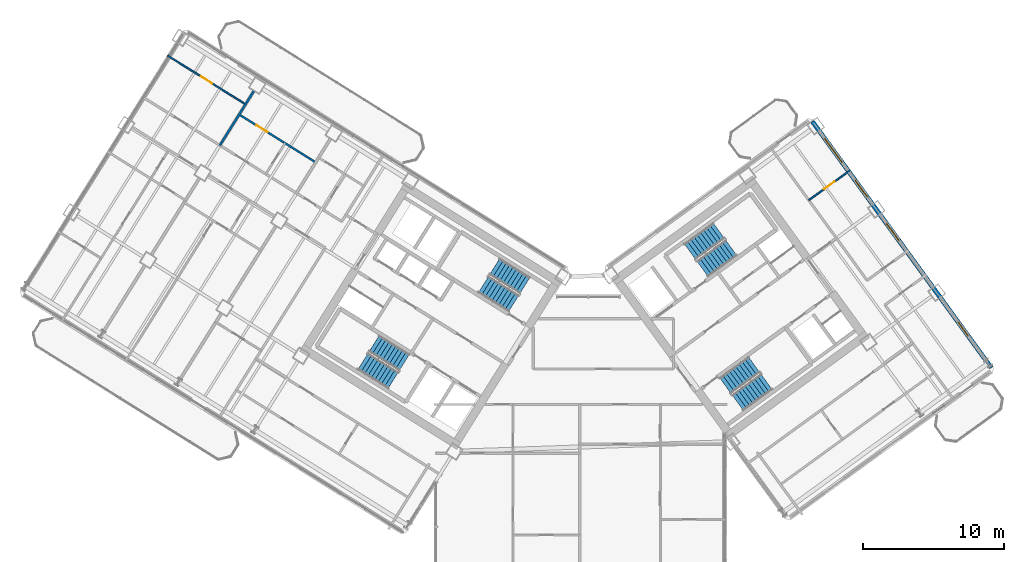
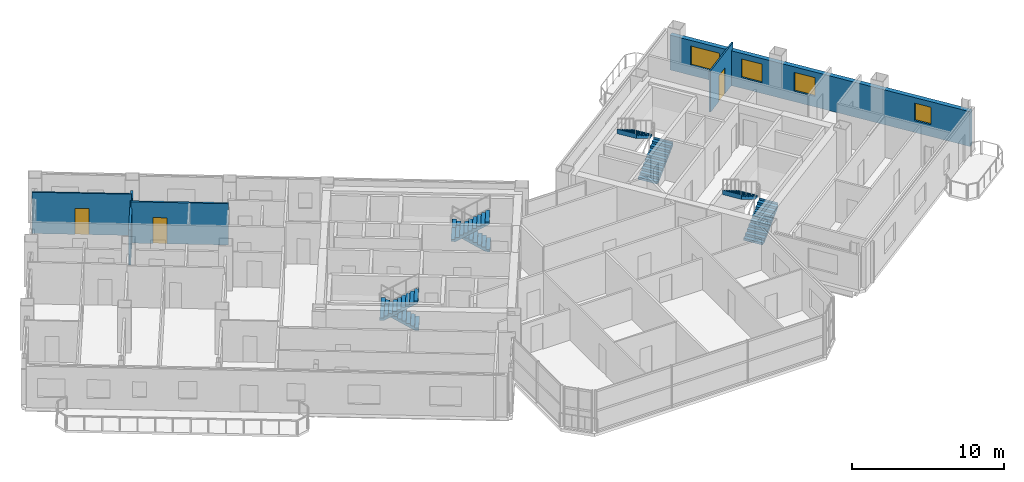
# One storey, part 21 of 29: 8 stair flights, 5 walls, 4 windows, 3 doors, 7 openings, 4 elements without a shape of their own.
"""IFC4 building model written with IfcOpenShell, lengths in metres."""

from ifc_helpers import new_model, si_unit, direction, frame, frame_2d, origin, place, context, subcontext, project, spatial, polyline, rectangle, outline, extrude, source, transform, mapped, material, layer, layer_set, type_object, element, fill, aggregate, save


model = new_model("IFC4")

# Units and contexts
model_context = context("Model", 3, precision=1e-05, world=origin(), true_north=direction((0.0, 1.0)))
body_context = subcontext(model_context, "Body", "Model", "MODEL_VIEW")
ifc_project = project(units=[si_unit("LENGTHUNIT", "METRE"), si_unit("AREAUNIT", "SQUARE_METRE"), si_unit("VOLUMEUNIT", "CUBIC_METRE"), si_unit("PLANEANGLEUNIT", "RADIAN"), si_unit("MASSUNIT", "GRAM", prefix="KILO")], contexts=[model_context])

# Site, building, storey
site_placement = place(None, origin())
site = spatial("IfcSite", under=ifc_project, at=site_placement, CompositionType="ELEMENT")
building_placement = place(site_placement, origin())
building = spatial("IfcBuilding", under=site, at=building_placement, Name="Tlacorven Tower", CompositionType="ELEMENT")
storey_placement = place(building_placement, frame((0.0, 0.0, 165.89990234375)))
storey = spatial("IfcBuildingStorey", under=building, at=storey_placement, Name="L42", CompositionType="ELEMENT", Elevation=165.89990234375)

# Wall
ifc_material_1 = material(Name="Gypsum plasterboard acoustic partition", Category="gypsum")
ifc_layer_1 = layer(ifc_material_1, 0.159912109375)
ifc_layer_set_1 = layer_set([ifc_layer_1], Name="Gypsum plasterboard acoustic partition")
wall_type_1 = type_object("IfcWallType", Name="WL-DEM-160", PredefinedType="PARTITIONING", material=ifc_layer_set_1)
wall_1_placement = place(storey_placement, frame((18.828125, 37.642578125, 0.0), z_axis=(0.0, 0.0, 1.0), x_axis=(-0.529926399231, -0.848043637673, 0.0)))
element("IfcWall", 1, at=wall_1_placement, inside=storey, type_object=wall_type_1, Name="L42 WS Demising Wall 2", PredefinedType="PARTITIONING", context=body_context, shape_type="SweptSolid", body=[
    extrude(rectangle(XDim=4.537841796875, YDim=0.159912109375, at=frame_2d((2.26904296875, 0.0))), origin(), (0.0, 0.0, 1.0), 2.795166015625),
])

# Wall, openings, windows
ifc_material_2 = material(Name="Precast concrete C45/55", Category="concrete")
ifc_layer_2 = layer(ifc_material_2, 0.320068359375)
ifc_layer_set_2 = layer_set([ifc_layer_2], Name="Precast concrete C45/55")
wall_type_2 = type_object("IfcWallType", Name="WL-EXT-320", PredefinedType="STANDARD", material=ifc_layer_set_2)
wall_2_placement = place(storey_placement, frame((58.45458984375, 35.483642578125, 0.0), z_axis=(0.0, 0.0, 1.0), x_axis=(0.587783625747, -0.809018176127, 0.0)))
wall_2 = element("IfcWall", 2, at=wall_2_placement, inside=storey, type_object=wall_type_2, Name="L42 Masonry-Frame Recessed Facade Wall 5", PredefinedType="STANDARD", context=body_context, shape_type="SweptSolid", body=[
    extrude(rectangle(XDim=21.58740234375, YDim=0.320068359375, at=frame_2d((10.793701171875, 0.0))), origin(), (0.0, 0.0, 1.0), 2.795166015625),
])
opening_1_placement = place(wall_2_placement, frame((1.47509765625, 0.0, 0.800048828125)))
opening_1 = element("IfcOpeningElement", 3, at=opening_1_placement, cuts=wall_2, Name="Opening WN04", PredefinedType="OPENING", context=body_context, shape_type="SweptSolid", body=[
    extrude(rectangle(XDim=2.10009765625, YDim=1.550048828125, at=frame_2d((1.050048828125, 0.77490234375))), frame((0.0, 0.169921875, 0.0), z_axis=(0.0, -1.0, 0.0), x_axis=(1.0, 0.0, 0.0)), (0.0, 0.0, 1.0), 0.340087890625),
])
opening_2_placement = place(wall_2_placement, frame((5.130126953125, 0.0, 0.85009765625)))
opening_2 = element("IfcOpeningElement", 4, at=opening_2_placement, cuts=wall_2, Name="Opening WN02", PredefinedType="OPENING", context=body_context, shape_type="SweptSolid", body=[
    extrude(rectangle(XDim=1.5, YDim=1.5, at=frame_2d((0.75, 0.75))), frame((0.0, 0.169921875, 0.0), z_axis=(0.0, -1.0, 0.0), x_axis=(1.0, 0.0, 0.0)), (0.0, 0.0, 1.0), 0.340087890625),
])
opening_3_placement = place(wall_2_placement, frame((8.9287109375, 0.0, 0.85009765625)))
opening_3 = element("IfcOpeningElement", 5, at=opening_3_placement, cuts=wall_2, Name="Opening WN02", PredefinedType="OPENING", context=body_context, shape_type="SweptSolid", body=[
    extrude(rectangle(XDim=1.5, YDim=1.5, at=frame_2d((0.75, 0.75))), frame((0.0, 0.169921875, 0.0), z_axis=(0.0, -1.0, 0.0), x_axis=(1.0, 0.0, 0.0)), (0.0, 0.0, 1.0), 0.340087890625),
])
opening_4_placement = place(wall_2_placement, frame((17.581298828125, 0.0, 0.949951171875)))
opening_4 = element("IfcOpeningElement", 6, at=opening_4_placement, cuts=wall_2, Name="Opening WN03", PredefinedType="OPENING", context=body_context, shape_type="SweptSolid", body=[
    extrude(rectangle(XDim=1.199951171875, YDim=1.39990234375, at=frame_2d((0.60009765625, 0.699951171875))), frame((0.0, 0.169921875, 0.0), z_axis=(0.0, -1.0, 0.0), x_axis=(1.0, 0.0, 0.0)), (0.0, 0.0, 1.0), 0.340087890625),
])
ifc_material_3 = material(Name="Dark solar low-E double glazing in anodised aluminium frame", Category="aluminium")
window_type_1 = type_object("IfcWindowType", Name="WN-APT-2100X1750", PartitioningType="SINGLE_PANEL", PredefinedType="WINDOW", material=ifc_material_3)
shared_shape_1 = source(origin(), body_context, "Body", "SweptSolid", [
    extrude(rectangle(XDim=2.10009765625, YDim=1.550048828125, at=frame_2d((1.050048828125, 0.77490234375))), frame((0.0, 0.030029296875, 0.0), z_axis=(0.0, -1.0, 0.0), x_axis=(1.0, 0.0, 0.0)), (0.0, 0.0, 1.0), 0.06005859375),
])
window_1_placement = place(opening_1_placement, origin())
window_1 = element("IfcWindow", 7, at=window_1_placement, inside=storey, type_object=window_type_1, Name="L42 Recessed Masonry-Frame Window L42-05.1", OverallHeight=1.550048828125, OverallWidth=2.10009765625, PartitioningType="SINGLE_PANEL", PredefinedType="WINDOW", context=body_context, shape_type="MappedRepresentation", body=[
    mapped(shared_shape_1, transform((0.0, 0.0, 0.0), scale=1.0)),
])
fill(opening_1, window_1)
window_type_2 = type_object("IfcWindowType", Name="WN-APT-1200X1500", PartitioningType="SINGLE_PANEL", PredefinedType="WINDOW", material=ifc_material_3)
shared_shape_2 = source(origin(), body_context, "Body", "SweptSolid", [
    extrude(rectangle(XDim=1.199951171875, YDim=1.39990234375, at=frame_2d((0.60009765625, 0.699951171875))), frame((0.0, 0.030029296875, 0.0), z_axis=(0.0, -1.0, 0.0), x_axis=(1.0, 0.0, 0.0)), (0.0, 0.0, 1.0), 0.06005859375),
])
window_2_placement = place(opening_4_placement, origin())
window_2 = element("IfcWindow", 8, at=window_2_placement, inside=storey, type_object=window_type_2, Name="L42 Recessed Masonry-Frame Window L42-05.4", OverallHeight=1.39990234375, OverallWidth=1.199951171875, PartitioningType="SINGLE_PANEL", PredefinedType="WINDOW", context=body_context, shape_type="MappedRepresentation", body=[
    mapped(shared_shape_2, transform((0.0, 0.0, 0.0), scale=1.0)),
])
fill(opening_4, window_2)
window_type_3 = type_object("IfcWindowType", Name="WN-APT-1500X1650", PartitioningType="SINGLE_PANEL", PredefinedType="WINDOW", material=ifc_material_3)
shared_shape_3 = source(origin(), body_context, "Body", "SweptSolid", [
    extrude(rectangle(XDim=1.5, YDim=1.5, at=frame_2d((0.75, 0.75))), frame((0.0, 0.030029296875, 0.0), z_axis=(0.0, -1.0, 0.0), x_axis=(1.0, 0.0, 0.0)), (0.0, 0.0, 1.0), 0.06005859375),
])
window_3_placement = place(opening_2_placement, origin())
window_3 = element("IfcWindow", 9, at=window_3_placement, inside=storey, type_object=window_type_3, Name="L42 Recessed Masonry-Frame Window L42-05.2", OverallHeight=1.5, OverallWidth=1.5, PartitioningType="SINGLE_PANEL", PredefinedType="WINDOW", context=body_context, shape_type="MappedRepresentation", body=[
    mapped(shared_shape_3, transform((0.0, 0.0, 0.0), scale=1.0)),
])
fill(opening_2, window_3)
window_4_placement = place(opening_3_placement, origin())
window_4 = element("IfcWindow", 10, at=window_4_placement, inside=storey, type_object=window_type_3, Name="L42 Recessed Masonry-Frame Window L42-05.3", OverallHeight=1.5, OverallWidth=1.5, PartitioningType="SINGLE_PANEL", PredefinedType="WINDOW", context=body_context, shape_type="MappedRepresentation", body=[
    mapped(shared_shape_3, transform((0.0, 0.0, 0.0), scale=1.0)),
])
fill(opening_3, window_4)

# Wall, opening, door
ifc_material_4 = material(Name="Gypsum plasterboard partition", Category="gypsum")
ifc_layer_3 = layer(ifc_material_4, 0.110107421875)
ifc_layer_set_3 = layer_set([ifc_layer_3], Name="Gypsum plasterboard partition")
wall_type_3 = type_object("IfcWallType", Name="WL-INT-110", PredefinedType="PARTITIONING", material=ifc_layer_set_3)
wall_3_placement = place(storey_placement, frame((18.241943359375, 36.70458984375, 0.0), z_axis=(0.0, 0.0, 1.0), x_axis=(-0.848048787466, 0.529918157905, 0.0)))
wall_3 = element("IfcWall", 11, at=wall_3_placement, inside=storey, type_object=wall_type_3, Name="L42 partition 67", PredefinedType="PARTITIONING", context=body_context, shape_type="SweptSolid", body=[
    extrude(rectangle(XDim=6.52001953125, YDim=0.110107421875, at=frame_2d((3.260009765625, 0.0))), origin(), (0.0, 0.0, 1.0), 3.31005859375),
])
opening_5_placement = place(wall_3_placement, frame((2.800048828125, 0.0, 0.0)))
opening_5 = element("IfcOpeningElement", 12, at=opening_5_placement, cuts=wall_3, Name="Opening D12", PredefinedType="OPENING", context=body_context, shape_type="SweptSolid", body=[
    extrude(rectangle(XDim=0.919921875, YDim=2.080078125, at=frame_2d((0.4599609375, 1.0400390625))), frame((0.0, 0.06494140625, 0.0), z_axis=(0.0, -1.0, 0.0), x_axis=(1.0, 0.0, 0.0)), (0.0, 0.0, 1.0), 0.130126953125),
])
ifc_material_5 = material(Name="Powder-coated aluminium and timber door", Category="wood")
door_type = type_object("IfcDoorType", Name="DR-INT-ROOM-0920", OperationType="NOTDEFINED", PredefinedType="DOOR", material=ifc_material_5)
shared_shape_4 = source(origin(), body_context, "Body", "SweptSolid", [
    extrude(rectangle(XDim=0.919921875, YDim=2.080078125, at=frame_2d((0.4599609375, 1.0400390625))), frame((0.0, 0.02490234375, 0.0), z_axis=(0.0, -1.0, 0.0), x_axis=(1.0, 0.0, 0.0)), (0.0, 0.0, 1.0), 0.050048828125),
])
door_1_placement = place(opening_5_placement, origin())
door_1 = element("IfcDoor", 13, at=door_1_placement, inside=storey, type_object=door_type, Name="L42 door 041", OperationType="SINGLE_SWING_RIGHT", OverallHeight=2.080078125, OverallWidth=0.919921875, PredefinedType="DOOR", context=body_context, shape_type="MappedRepresentation", body=[
    mapped(shared_shape_4, transform((0.0, 0.0, 0.0), scale=1.0)),
])
fill(opening_5, door_1)

wall_4_placement = place(storey_placement, frame((58.19482421875, 29.903564453125, 0.0), z_axis=(0.0, 0.0, 1.0), x_axis=(0.809005039917, 0.58780170584, 0.0)))
wall_4 = element("IfcWall", 14, at=wall_4_placement, inside=storey, type_object=wall_type_3, Name="L42 partition 96", PredefinedType="PARTITIONING", context=body_context, shape_type="SweptSolid", body=[
    extrude(rectangle(XDim=3.610107421875, YDim=0.110107421875, at=frame_2d((1.80517578125, 0.0))), origin(), (0.0, 0.0, 1.0), 3.31005859375),
])
opening_6_placement = place(wall_4_placement, frame((1.344970703125, 0.0, 0.0)))
opening_6 = element("IfcOpeningElement", 15, at=opening_6_placement, cuts=wall_4, Name="Opening D12", PredefinedType="OPENING", context=body_context, shape_type="SweptSolid", body=[
    extrude(rectangle(XDim=0.919921875, YDim=2.080078125, at=frame_2d((0.4599609375, 1.0400390625))), frame((0.0, 0.06494140625, 0.0), z_axis=(0.0, -1.0, 0.0), x_axis=(1.0, 0.0, 0.0)), (0.0, 0.0, 1.0), 0.130126953125),
])
door_2_placement = place(opening_6_placement, origin())
door_2 = element("IfcDoor", 16, at=door_2_placement, inside=storey, type_object=door_type, Name="L42 door 061", OperationType="SINGLE_SWING_RIGHT", OverallHeight=2.080078125, OverallWidth=0.919921875, PredefinedType="DOOR", context=body_context, shape_type="MappedRepresentation", body=[
    mapped(shared_shape_4, transform((0.0, 0.0, 0.0), scale=1.0)),
])
fill(opening_6, door_2)

ifc_material_6 = material(Name="Moisture-resistant gypsum plumbing wall", Category="gypsum")
ifc_layer_4 = layer(ifc_material_6, 0.139892578125)
ifc_layer_set_4 = layer_set([ifc_layer_4], Name="Moisture-resistant gypsum plumbing wall")
wall_type_4 = type_object("IfcWallType", Name="WL-PLM-140", PredefinedType="PLUMBINGWALL", material=ifc_layer_set_4)
wall_5_placement = place(storey_placement, frame((23.218017578125, 32.590576171875, 0.0), z_axis=(0.0, 0.0, 1.0), x_axis=(-0.848056163074, 0.529906354247, 0.0)))
wall_5 = element("IfcWall", 17, at=wall_5_placement, inside=storey, type_object=wall_type_4, Name="L42 partition 65", PredefinedType="PLUMBINGWALL", context=body_context, shape_type="SweptSolid", body=[
    extrude(rectangle(XDim=6.39990234375, YDim=0.139892578125, at=frame_2d((3.199951171875, 0.0))), origin(), (0.0, 0.0, 1.0), 3.31005859375),
])
opening_7_placement = place(wall_5_placement, frame((4.0400390625, 0.0, 0.0)))
opening_7 = element("IfcOpeningElement", 18, at=opening_7_placement, cuts=wall_5, Name="Opening D12", PredefinedType="OPENING", context=body_context, shape_type="SweptSolid", body=[
    extrude(rectangle(XDim=0.919921875, YDim=2.080078125, at=frame_2d((0.4599609375, 1.0400390625))), frame((0.0, 0.080078125, 0.0), z_axis=(0.0, -1.0, 0.0), x_axis=(1.0, 0.0, 0.0)), (0.0, 0.0, 1.0), 0.159912109375),
])
door_3_placement = place(opening_7_placement, origin())
door_3 = element("IfcDoor", 19, at=door_3_placement, inside=storey, type_object=door_type, Name="L42 door 038", OperationType="SINGLE_SWING_LEFT", OverallHeight=2.080078125, OverallWidth=0.919921875, PredefinedType="DOOR", context=body_context, shape_type="MappedRepresentation", body=[
    mapped(shared_shape_4, transform((0.0, 0.0, 0.0), scale=1.0)),
])
fill(opening_7, door_3)

# Stair, stair flights
ifc_material_7 = material(Name="Concrete C40/50", Category="concrete")
stair_type = type_object("IfcStairType", Name="ST-CORE-DLG", PredefinedType="HALF_TURN_STAIR", material=ifc_material_7)
stair_1_placement = place(storey_placement, origin())
stair_1 = element("IfcStair", 20, at=stair_1_placement, inside=storey, type_object=stair_type, Name="L42 Protected Exit Stair West 1", PredefinedType="HALF_TURN_STAIR")
stair_flight_type = type_object("IfcStairFlightType", Name="SFL-RC-1380", PredefinedType="STRAIGHT", material=ifc_material_7)
shared_shape_5 = source(origin(), body_context, "Body", "SweptSolid", [
    extrude(outline(polyline([(-0.0029296875, -0.0029296875), (-0.0029296875, 0.179931640625), (0.280029296875, 0.179931640625), (0.280029296875, 0.360107421875), (0.56005859375, 0.360107421875), (0.56005859375, 0.5400390625), (0.840087890625, 0.5400390625), (0.840087890625, 0.719970703125), (1.1201171875, 0.719970703125), (1.1201171875, 0.89990234375), (1.39990234375, 0.89990234375), (1.39990234375, 1.080078125), (1.679931640625, 1.080078125), (1.679931640625, 1.260009765625), (1.9599609375, 1.260009765625), (1.9599609375, 1.43994140625), (2.239990234375, 1.43994140625), (2.239990234375, 1.6201171875), (2.52001953125, 1.6201171875), (2.52001953125, 1.800048828125), (2.52294921875, 1.800048828125), (2.52294921875, 1.429931640625), (2.52001953125, 1.429931640625), (0.295654296875, 0.0), (0.295654296875, -0.0029296875), (-0.0029296875, -0.0029296875)])), frame((0.0, 0.68994140625, 0.0), z_axis=(0.0, -1.0, 0.0), x_axis=(1.0, 0.0, 0.0)), (0.0, 0.0, 1.0), 1.3798828125),
])
stair_flight_1_placement = place(storey_placement, frame((29.499755859375, 18.39453125, 0.0), z_axis=(0.0, 0.0, 1.0), x_axis=(-0.848048096156, 0.529919264233, 0.0)))
stair_flight_1 = element("IfcStairFlight", 21, at=stair_flight_1_placement, type_object=stair_flight_type, Name="ST-W1 flight 1", NumberOfRisers=10, NumberOfTreads=9, PredefinedType="STRAIGHT", RiserHeight=0.18, TreadLength=0.28, context=body_context, shape_type="MappedRepresentation", body=[
    mapped(shared_shape_5, transform((0.0, 0.0, 0.0), scale=1.0)),
])
stair_flight_2_placement = place(storey_placement, frame((26.56787109375, 18.4580078125, 1.800048828125), z_axis=(0.0, 0.0, 1.0), x_axis=(0.848048096156, -0.529919264233, 0.0)))
stair_flight_2 = element("IfcStairFlight", 22, at=stair_flight_2_placement, type_object=stair_flight_type, Name="ST-W1 flight 2", NumberOfRisers=10, NumberOfTreads=9, PredefinedType="STRAIGHT", RiserHeight=0.18, TreadLength=0.28, context=body_context, shape_type="MappedRepresentation", body=[
    mapped(shared_shape_5, transform((0.0, 0.0, 0.0), scale=1.0)),
])
aggregate(stair_1, [stair_flight_1, stair_flight_2])

stair_2_placement = place(storey_placement, origin())
stair_2 = element("IfcStair", 23, at=stair_2_placement, inside=storey, type_object=stair_type, Name="L42 Protected Exit Stair West 2", PredefinedType="HALF_TURN_STAIR")
stair_flight_3_placement = place(storey_placement, frame((38.051513671875, 23.852294921875, 0.0), z_axis=(0.0, 0.0, 1.0), x_axis=(-0.848048096156, 0.529919264233, 0.0)))
stair_flight_3 = element("IfcStairFlight", 24, at=stair_flight_3_placement, type_object=stair_flight_type, Name="ST-W2 flight 1", NumberOfRisers=10, NumberOfTreads=9, PredefinedType="STRAIGHT", RiserHeight=0.18, TreadLength=0.28, context=body_context, shape_type="MappedRepresentation", body=[
    mapped(shared_shape_5, transform((0.0, 0.0, 0.0), scale=1.0)),
])
stair_flight_4_placement = place(storey_placement, frame((35.119384765625, 23.91552734375, 1.800048828125), z_axis=(0.0, 0.0, 1.0), x_axis=(0.848048096156, -0.529919264233, 0.0)))
stair_flight_4 = element("IfcStairFlight", 25, at=stair_flight_4_placement, type_object=stair_flight_type, Name="ST-W2 flight 2", NumberOfRisers=10, NumberOfTreads=9, PredefinedType="STRAIGHT", RiserHeight=0.18, TreadLength=0.28, context=body_context, shape_type="MappedRepresentation", body=[
    mapped(shared_shape_5, transform((0.0, 0.0, 0.0), scale=1.0)),
])
aggregate(stair_2, [stair_flight_3, stair_flight_4])

stair_3_placement = place(storey_placement, origin())
stair_3 = element("IfcStair", 26, at=stair_3_placement, inside=storey, type_object=stair_type, Name="L42 Protected Exit Stair East 1", PredefinedType="HALF_TURN_STAIR")
stair_flight_5_placement = place(storey_placement, frame((50.6533203125, 25.0400390625, 0.0), z_axis=(0.0, 0.0, 1.0), x_axis=(0.809016994375, 0.587785252292, 0.0)))
stair_flight_5 = element("IfcStairFlight", 27, at=stair_flight_5_placement, type_object=stair_flight_type, Name="ST-E1 flight 1", NumberOfRisers=10, NumberOfTreads=9, PredefinedType="STRAIGHT", RiserHeight=0.18, TreadLength=0.28, context=body_context, shape_type="MappedRepresentation", body=[
    mapped(shared_shape_5, transform((0.0, 0.0, 0.0), scale=1.0)),
])
stair_flight_6_placement = place(storey_placement, frame((51.810546875, 27.734619140625, 1.800048828125), z_axis=(0.0, 0.0, 1.0), x_axis=(-0.809016994375, -0.587785252292, 0.0)))
stair_flight_6 = element("IfcStairFlight", 28, at=stair_flight_6_placement, type_object=stair_flight_type, Name="ST-E1 flight 2", NumberOfRisers=10, NumberOfTreads=9, PredefinedType="STRAIGHT", RiserHeight=0.18, TreadLength=0.28, context=body_context, shape_type="MappedRepresentation", body=[
    mapped(shared_shape_5, transform((0.0, 0.0, 0.0), scale=1.0)),
])
aggregate(stair_3, [stair_flight_5, stair_flight_6])

stair_4_placement = place(storey_placement, origin())
stair_4 = element("IfcStair", 29, at=stair_4_placement, inside=storey, type_object=stair_type, Name="L42 Protected Exit Stair East 2", PredefinedType="HALF_TURN_STAIR")
stair_flight_7_placement = place(storey_placement, frame((53.157470703125, 15.536865234375, 0.0), z_axis=(0.0, 0.0, 1.0), x_axis=(0.809016994375, 0.587785252292, 0.0)))
stair_flight_7 = element("IfcStairFlight", 30, at=stair_flight_7_placement, type_object=stair_flight_type, Name="ST-E2 flight 1", NumberOfRisers=10, NumberOfTreads=9, PredefinedType="STRAIGHT", RiserHeight=0.18, TreadLength=0.28, context=body_context, shape_type="MappedRepresentation", body=[
    mapped(shared_shape_5, transform((0.0, 0.0, 0.0), scale=1.0)),
])
stair_flight_8_placement = place(storey_placement, frame((54.314453125, 18.231689453125, 1.800048828125), z_axis=(0.0, 0.0, 1.0), x_axis=(-0.809016994375, -0.587785252292, 0.0)))
stair_flight_8 = element("IfcStairFlight", 31, at=stair_flight_8_placement, type_object=stair_flight_type, Name="ST-E2 flight 2", NumberOfRisers=10, NumberOfTreads=9, PredefinedType="STRAIGHT", RiserHeight=0.18, TreadLength=0.28, context=body_context, shape_type="MappedRepresentation", body=[
    mapped(shared_shape_5, transform((0.0, 0.0, 0.0), scale=1.0)),
])
aggregate(stair_4, [stair_flight_7, stair_flight_8])

save(model, "model.ifc")
